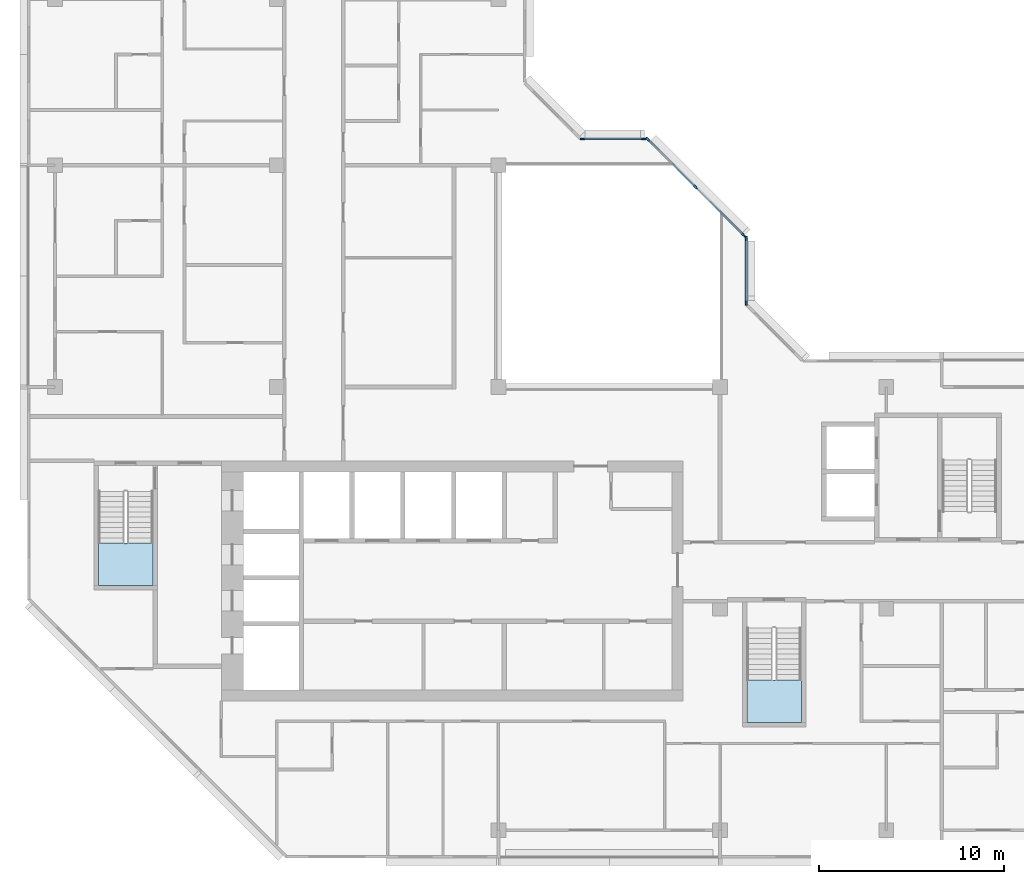
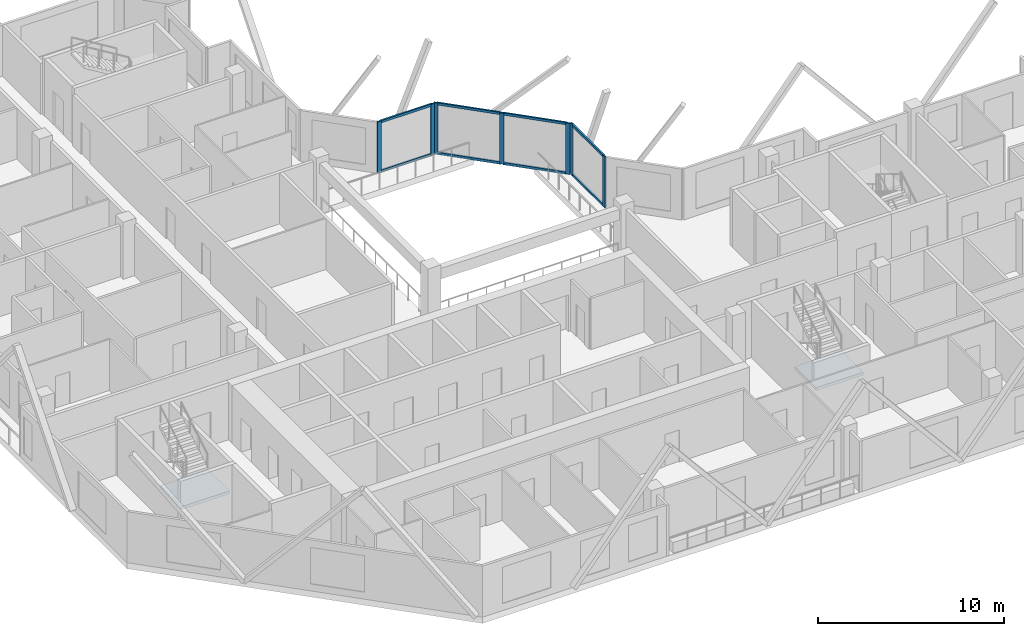
# One storey, part 2 of 13: 15 members, 2 slabs, 5 elements without a shape of their own.
"""IFC4 building model written with IfcOpenShell, lengths in metres."""

from ifc_helpers import new_model, si_unit, direction, frame, origin, origin_2d, place, context, subcontext, project, spatial, polyline, rectangle, outline, extrude, material, layer, layer_set, material_profile, profile_set, type_object, element, aggregate, save


model = new_model("IFC4")

# Units and contexts
model_context = context("Model", 3, precision=1e-05, world=origin(), true_north=direction((0.0, 1.0)))
body_context = subcontext(model_context, "Body", "Model", "MODEL_VIEW")
ifc_project = project(units=[si_unit("LENGTHUNIT", "METRE"), si_unit("AREAUNIT", "SQUARE_METRE"), si_unit("VOLUMEUNIT", "CUBIC_METRE"), si_unit("PLANEANGLEUNIT", "RADIAN"), si_unit("MASSUNIT", "GRAM", prefix="KILO")], contexts=[model_context])

# Site, building, storey
site_placement = place(None, origin())
site = spatial("IfcSite", under=ifc_project, at=site_placement, CompositionType="ELEMENT")
building_placement = place(site_placement, origin())
building = spatial("IfcBuilding", under=site, at=building_placement, Name="Chenar Terraces", CompositionType="ELEMENT")
storey_placement = place(building_placement, frame((0.0, 0.0, 303.39990234375)))
storey = spatial("IfcBuildingStorey", under=building, at=storey_placement, Name="L71", CompositionType="ELEMENT", Elevation=303.39990234375)

# Curtain wall, members
ifc_material_1 = material(Name="Aluminium framed glazing", Category="aluminium")
ifc_layer_1 = layer(ifc_material_1, 0.14990234375)
ifc_layer_set_1 = layer_set([ifc_layer_1], Name="Aluminium framed glazing")
curtain_wall_type = type_object("IfcCurtainWallType", Name="Atrium upper-zone curtain wall", PredefinedType="NOTDEFINED", material=ifc_layer_set_1)
placement_1 = place(storey_placement, origin())
curtain_wall_1 = element("IfcCurtainWall", 1, at=placement_1, inside=storey, type_object=curtain_wall_type, Name="Atrium upper-zone curtain wall", PredefinedType="NOTDEFINED")
ifc_material_2 = material(Name="Aluminium", Category="aluminium")
ifc_material_profile_1 = material_profile(ifc_material_2, rectangle(XDim=0.10009765625, YDim=0.239990234375, at=origin_2d()), Name="Atrium upper-zone glazing mullion 100 x 240")
ifc_profile_set_1 = profile_set([ifc_material_profile_1], Name="Aluminium")
member_type_1 = type_object("IfcMemberType", Name="Atrium upper-zone glazing mullion 100 x 240", PredefinedType="MULLION", material=ifc_profile_set_1)
member_1_placement = place(storey_placement, frame((37.425048828125, 28.550048828125, 0.0), z_axis=(0.0, 0.0, 1.0), x_axis=(-1.0, 0.0, 0.0)))
member_1 = element("IfcMember", 2, at=member_1_placement, type_object=member_type_1, Name="CW8-1 mullion 1", PredefinedType="MULLION", context=body_context, shape_type="SweptSolid", body=[
    extrude(rectangle(XDim=0.10009765625, YDim=0.239990234375, at=origin_2d()), origin(), (0.0, 0.0, 1.0), 3.35009765625),
])
member_2_placement = place(storey_placement, frame((37.425048828125, 32.050048828125, 0.0), z_axis=(0.0, 0.0, 1.0), x_axis=(-1.0, 0.0, 0.0)))
member_2 = element("IfcMember", 3, at=member_2_placement, type_object=member_type_1, Name="CW8-1 mullion 2", PredefinedType="MULLION", context=body_context, shape_type="SweptSolid", body=[
    extrude(rectangle(XDim=0.10009765625, YDim=0.239990234375, at=origin_2d()), origin(), (0.0, 0.0, 1.0), 3.35009765625),
])

curtain_wall_2 = element("IfcCurtainWall", 4, at=placement_1, inside=storey, type_object=curtain_wall_type, Name="Atrium upper-zone curtain wall", PredefinedType="NOTDEFINED")
member_3_placement = place(storey_placement, frame((37.270263671875, 32.2236328125, 0.0), z_axis=(0.0, 0.0, 1.0), x_axis=(-0.707106781187, -0.707106781187, 0.0)))
member_3 = element("IfcMember", 5, at=member_3_placement, type_object=member_type_1, Name="CW8-2 mullion 1", PredefinedType="MULLION", context=body_context, shape_type="SweptSolid", body=[
    extrude(rectangle(XDim=0.10009765625, YDim=0.239990234375, at=origin_2d()), origin(), (0.0, 0.0, 1.0), 3.35009765625),
])
member_4_placement = place(storey_placement, frame((34.67626953125, 34.817626953125, 0.0), z_axis=(0.0, 0.0, 1.0), x_axis=(-0.707106781187, -0.707106781187, 0.0)))
member_4 = element("IfcMember", 6, at=member_4_placement, type_object=member_type_1, Name="CW8-2 mullion 2", PredefinedType="MULLION", context=body_context, shape_type="SweptSolid", body=[
    extrude(rectangle(XDim=0.10009765625, YDim=0.239990234375, at=origin_2d()), origin(), (0.0, 0.0, 1.0), 3.35009765625),
])
member_5_placement = place(storey_placement, frame((32.082275390625, 37.41162109375, 0.0), z_axis=(0.0, 0.0, 1.0), x_axis=(-0.707106781187, -0.707106781187, 0.0)))
member_5 = element("IfcMember", 7, at=member_5_placement, type_object=member_type_1, Name="CW8-2 mullion 3", PredefinedType="MULLION", context=body_context, shape_type="SweptSolid", body=[
    extrude(rectangle(XDim=0.10009765625, YDim=0.239990234375, at=origin_2d()), origin(), (0.0, 0.0, 1.0), 3.35009765625),
])

curtain_wall_3 = element("IfcCurtainWall", 8, at=placement_1, inside=storey, type_object=curtain_wall_type, Name="Atrium upper-zone curtain wall", PredefinedType="NOTDEFINED")
member_6_placement = place(storey_placement, frame((31.85009765625, 37.425048828125, 0.0), z_axis=(0.0, 0.0, 1.0), x_axis=(0.0, -1.0, 0.0)))
member_6 = element("IfcMember", 9, at=member_6_placement, type_object=member_type_1, Name="CW8-3 mullion 1", PredefinedType="MULLION", context=body_context, shape_type="SweptSolid", body=[
    extrude(rectangle(XDim=0.10009765625, YDim=0.239990234375, at=origin_2d()), origin(), (0.0, 0.0, 1.0), 3.35009765625),
])
member_7_placement = place(storey_placement, frame((28.550048828125, 37.425048828125, 0.0), z_axis=(0.0, 0.0, 1.0), x_axis=(0.0, -1.0, 0.0)))
member_7 = element("IfcMember", 10, at=member_7_placement, type_object=member_type_1, Name="CW8-3 mullion 2", PredefinedType="MULLION", context=body_context, shape_type="SweptSolid", body=[
    extrude(rectangle(XDim=0.10009765625, YDim=0.239990234375, at=origin_2d()), origin(), (0.0, 0.0, 1.0), 3.35009765625),
])

# Member
ifc_material_3 = material(Name="Aluminium", Category="aluminium")
ifc_material_profile_2 = material_profile(ifc_material_3, rectangle(XDim=0.10009765625, YDim=0.159912109375, at=origin_2d()), Name="Atrium upper-zone glazing transom 100 x 160")
ifc_profile_set_2 = profile_set([ifc_material_profile_2], Name="Aluminium")
member_type_2 = type_object("IfcMemberType", Name="Atrium upper-zone glazing transom 100 x 160", PredefinedType="USERDEFINED", material=ifc_profile_set_2)
member_8_placement = place(storey_placement, frame((37.425048828125, 28.60009765625, 0.050048828125), z_axis=(0.0, 1.0, 0.0), x_axis=(-1.0, 0.0, 0.0)))
member_8 = element("IfcMember", 11, at=member_8_placement, type_object=member_type_2, Name="CW8-1 transom 1.1", ObjectType="TRANSOM", PredefinedType="USERDEFINED", context=body_context, shape_type="SweptSolid", body=[
    extrude(rectangle(XDim=0.10009765625, YDim=0.159912109375, at=origin_2d()), origin(), (0.0, 0.0, 1.0), 3.39990234375),
])

member_9_placement = place(storey_placement, frame((37.425048828125, 28.60009765625, 3.300048828125), z_axis=(0.0, 1.0, 0.0), x_axis=(-1.0, 0.0, 0.0)))
member_9 = element("IfcMember", 12, at=member_9_placement, type_object=member_type_2, Name="CW8-1 transom 1.2", ObjectType="TRANSOM", PredefinedType="USERDEFINED", context=body_context, shape_type="SweptSolid", body=[
    extrude(rectangle(XDim=0.10009765625, YDim=0.159912109375, at=origin_2d()), origin(), (0.0, 0.0, 1.0), 3.39990234375),
])

aggregate(curtain_wall_1, [member_1, member_2, member_8, member_9])

member_10_placement = place(storey_placement, frame((37.23486328125, 32.259033203125, 0.050048828125), z_axis=(-0.707106781187, 0.707106781187, 0.0), x_axis=(-0.707106781187, -0.707106781187, 0.0)))
member_10 = element("IfcMember", 13, at=member_10_placement, type_object=member_type_2, Name="CW8-2 transom 1.1", ObjectType="TRANSOM", PredefinedType="USERDEFINED", context=body_context, shape_type="SweptSolid", body=[
    extrude(rectangle(XDim=0.10009765625, YDim=0.159912109375, at=origin_2d()), origin(), (0.0, 0.0, 1.0), 3.568359375),
])

member_11_placement = place(storey_placement, frame((37.23486328125, 32.259033203125, 3.300048828125), z_axis=(-0.707106781187, 0.707106781187, 0.0), x_axis=(-0.707106781187, -0.707106781187, 0.0)))
member_11 = element("IfcMember", 14, at=member_11_placement, type_object=member_type_2, Name="CW8-2 transom 1.2", ObjectType="TRANSOM", PredefinedType="USERDEFINED", context=body_context, shape_type="SweptSolid", body=[
    extrude(rectangle(XDim=0.10009765625, YDim=0.159912109375, at=origin_2d()), origin(), (0.0, 0.0, 1.0), 3.568359375),
])

member_12_placement = place(storey_placement, frame((34.640869140625, 34.85302734375, 0.050048828125), z_axis=(-0.707106781187, 0.707106781187, 0.0), x_axis=(-0.707106781187, -0.707106781187, 0.0)))
member_12 = element("IfcMember", 15, at=member_12_placement, type_object=member_type_2, Name="CW8-2 transom 2.1", ObjectType="TRANSOM", PredefinedType="USERDEFINED", context=body_context, shape_type="SweptSolid", body=[
    extrude(rectangle(XDim=0.10009765625, YDim=0.159912109375, at=origin_2d()), origin(), (0.0, 0.0, 1.0), 3.568359375),
])

member_13_placement = place(storey_placement, frame((34.640869140625, 34.85302734375, 3.300048828125), z_axis=(-0.707106781187, 0.707106781187, 0.0), x_axis=(-0.707106781187, -0.707106781187, 0.0)))
member_13 = element("IfcMember", 16, at=member_13_placement, type_object=member_type_2, Name="CW8-2 transom 2.2", ObjectType="TRANSOM", PredefinedType="USERDEFINED", context=body_context, shape_type="SweptSolid", body=[
    extrude(rectangle(XDim=0.10009765625, YDim=0.159912109375, at=origin_2d()), origin(), (0.0, 0.0, 1.0), 3.568359375),
])

aggregate(curtain_wall_2, [member_3, member_4, member_5, member_10, member_11, member_12, member_13])

member_14_placement = place(storey_placement, frame((31.800048828125, 37.425048828125, 0.050048828125), z_axis=(-1.0, 0.0, 0.0), x_axis=(0.0, -1.0, 0.0)))
member_14 = element("IfcMember", 17, at=member_14_placement, type_object=member_type_2, Name="CW8-3 transom 1.1", ObjectType="TRANSOM", PredefinedType="USERDEFINED", context=body_context, shape_type="SweptSolid", body=[
    extrude(rectangle(XDim=0.10009765625, YDim=0.159912109375, at=origin_2d()), origin(), (0.0, 0.0, 1.0), 3.199951171875),
])

member_15_placement = place(storey_placement, frame((31.800048828125, 37.425048828125, 3.300048828125), z_axis=(-1.0, 0.0, 0.0), x_axis=(0.0, -1.0, 0.0)))
member_15 = element("IfcMember", 18, at=member_15_placement, type_object=member_type_2, Name="CW8-3 transom 1.2", ObjectType="TRANSOM", PredefinedType="USERDEFINED", context=body_context, shape_type="SweptSolid", body=[
    extrude(rectangle(XDim=0.10009765625, YDim=0.159912109375, at=origin_2d()), origin(), (0.0, 0.0, 1.0), 3.199951171875),
])

aggregate(curtain_wall_3, [member_6, member_7, member_14, member_15])

# Stair, slab
ifc_material_4 = material(Name="Reinforced concrete C40/50", Category="concrete")
stair_type = type_object("IfcStairType", Name="Core stair 1400 half-turn", PredefinedType="HALF_TURN_STAIR", material=ifc_material_4)
stair_1 = element("IfcStair", 19, at=placement_1, inside=storey, type_object=stair_type, Name="L71 Stair 1", PredefinedType="HALF_TURN_STAIR")
ifc_material_5 = material(Name="Reinforced concrete C40/50", Category="concrete")
ifc_layer_2 = layer(ifc_material_5, 0.199951171875)
ifc_layer_set_2 = layer_set([ifc_layer_2], Name="Reinforced concrete C40/50")
slab_type = type_object("IfcSlabType", Name="Core stair landing 200", PredefinedType="LANDING", material=ifc_layer_set_2)
placement_2 = place(storey_placement, frame((0.0, 0.0, 1.675048828125)))
slab_1 = element("IfcSlab", 20, at=placement_2, type_object=slab_type, Name="ST1 landing 1", PredefinedType="LANDING", context=body_context, shape_type="SweptSolid", body=[
    extrude(outline(polyline([(2.35009765625, 15.550048828125), (2.35009765625, 13.25), (5.300048828125, 13.25), (5.300048828125, 15.550048828125), (2.35009765625, 15.550048828125)])), origin(), (0.0, 0.0, 1.0), 0.199951171875),
])
aggregate(stair_1, [slab_1])

stair_2 = element("IfcStair", 21, at=placement_1, inside=storey, type_object=stair_type, Name="L71 Stair 2", PredefinedType="HALF_TURN_STAIR")
slab_2 = element("IfcSlab", 22, at=placement_2, type_object=slab_type, Name="ST2 landing 1", PredefinedType="LANDING", context=body_context, shape_type="SweptSolid", body=[
    extrude(outline(polyline([(37.449951171875, 8.14990234375), (37.449951171875, 5.85009765625), (40.39990234375, 5.85009765625), (40.39990234375, 8.14990234375), (37.449951171875, 8.14990234375)])), origin(), (0.0, 0.0, 1.0), 0.199951171875),
])
aggregate(stair_2, [slab_2])

save(model, "model.ifc")
